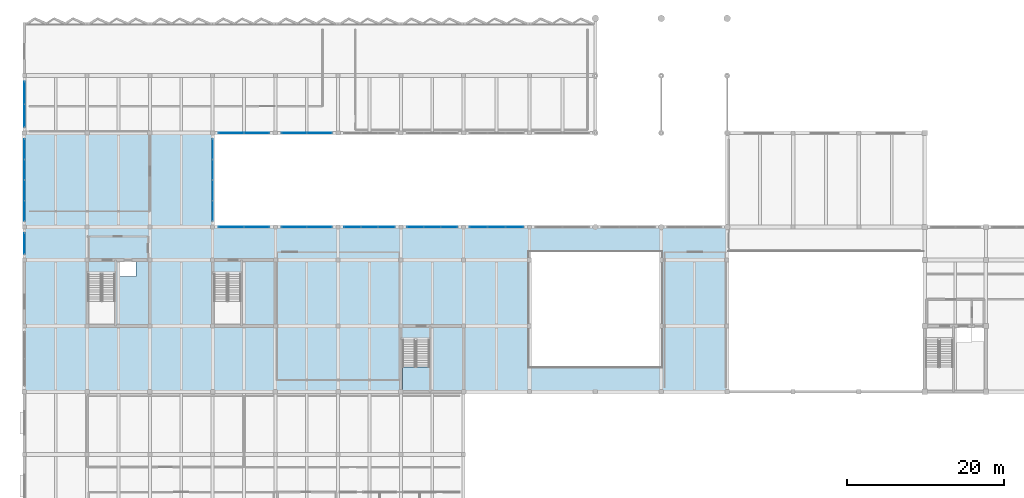
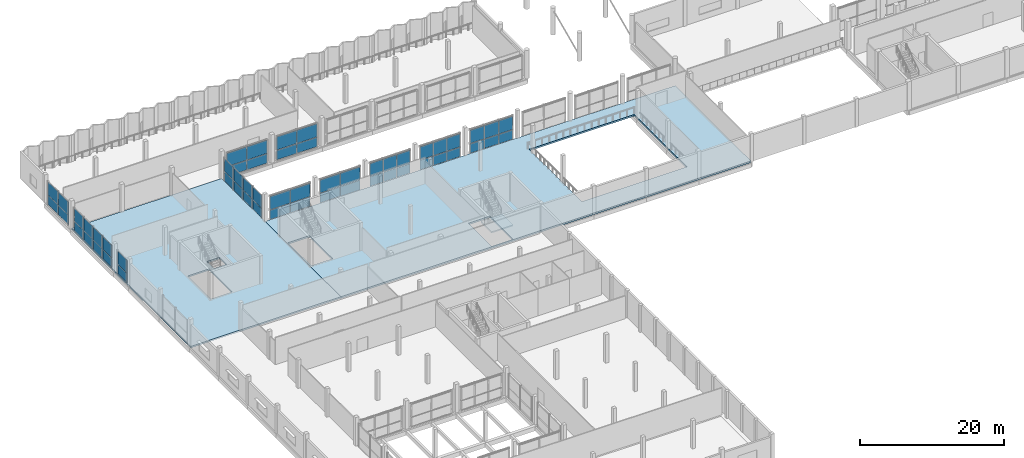
# One storey, part 27 of 47: 56 plates, 3 slabs, 12 elements without a shape of their own.
"""IFC4 building model written with IfcOpenShell, lengths in metres."""

from ifc_helpers import new_model, si_unit, direction, frame, origin, origin_2d, place, context, subcontext, project, spatial, polyline, rectangle, outline, extrude, material, layer, layer_set, type_object, element, aggregate, save


model = new_model("IFC4")

# Units and contexts
model_context = context("Model", 3, precision=1e-05, world=origin(), true_north=direction((0.0, 1.0)))
body_context = subcontext(model_context, "Body", "Model", "MODEL_VIEW")
ifc_project = project(units=[si_unit("LENGTHUNIT", "METRE"), si_unit("AREAUNIT", "SQUARE_METRE"), si_unit("VOLUMEUNIT", "CUBIC_METRE"), si_unit("PLANEANGLEUNIT", "RADIAN"), si_unit("MASSUNIT", "GRAM", prefix="KILO")], contexts=[model_context])

# Site, building, storey
site_placement = place(None, origin())
site = spatial("IfcSite", under=ifc_project, at=site_placement, CompositionType="ELEMENT")
building_placement = place(site_placement, origin())
building = spatial("IfcBuilding", under=site, at=building_placement, Name="Vharandega Faculty of Natural Sciences", CompositionType="ELEMENT")
storey_placement = place(building_placement, frame((0.0, 0.0, 5.39990234375)))
storey = spatial("IfcBuildingStorey", under=building, at=storey_placement, Name="L01", CompositionType="ELEMENT", Elevation=5.39990234375)

# Curtain wall, plates
ifc_material_1 = material(Name="Aluminium and solar-control glass curtain wall", Category="aluminium")
curtain_wall_type_1 = type_object("IfcCurtainWallType", Name="Unitised Curtain Wall System CW-15", PredefinedType="NOTDEFINED", material=ifc_material_1)
curtain_wall_1_placement = place(storey_placement, origin())
curtain_wall_1 = element("IfcCurtainWall", 1, at=curtain_wall_1_placement, inside=storey, type_object=curtain_wall_type_1, Name="Curtain Wall CW-L01-042", PredefinedType="NOTDEFINED")
ifc_material_2 = material(Name="Double-glazed low-E solar glass", Category="glass")
ifc_layer_1 = layer(ifc_material_2, 0.028076171875, Name="Double-glazed low-E solar glass")
ifc_layer_set_1 = layer_set([ifc_layer_1], Name="Double-glazed low-E solar glass")
plate_type = type_object("IfcPlateType", Name="CW Solar Vision Panel 28mm", PredefinedType="CURTAIN_PANEL", material=ifc_layer_set_1)
plate_1_placement = place(storey_placement, frame((0.0, 82.89990234375, 0.06005859375), z_axis=(0.0, 0.0, 1.0), x_axis=(0.0, 1.0, 0.0)))
plate_1 = element("IfcPlate", 2, at=plate_1_placement, type_object=plate_type, Name="CW-15 panel 1.1", PredefinedType="CURTAIN_PANEL", context=body_context, shape_type="SweptSolid", body=[
    extrude(rectangle(XDim=2.60009765625, YDim=0.028076171875, at=origin_2d()), origin(), (0.0, 0.0, 1.0), 1.564697265625),
])
plate_2_placement = place(storey_placement, frame((0.0, 82.89990234375, 1.684814453125), z_axis=(0.0, 0.0, 1.0), x_axis=(0.0, 1.0, 0.0)))
plate_2 = element("IfcPlate", 3, at=plate_2_placement, type_object=plate_type, Name="CW-15 panel 1.2", PredefinedType="CURTAIN_PANEL", context=body_context, shape_type="SweptSolid", body=[
    extrude(rectangle(XDim=2.60009765625, YDim=0.028076171875, at=origin_2d()), origin(), (0.0, 0.0, 1.0), 2.1953125),
])
aggregate(curtain_wall_1, [plate_1, plate_2])

ifc_material_3 = material(Name="Aluminium and solar-control glass curtain wall", Category="aluminium")
curtain_wall_type_2 = type_object("IfcCurtainWallType", Name="Unitised Curtain Wall System CW-16", PredefinedType="NOTDEFINED", material=ifc_material_3)
curtain_wall_2_placement = place(storey_placement, origin())
curtain_wall_2 = element("IfcCurtainWall", 4, at=curtain_wall_2_placement, inside=storey, type_object=curtain_wall_type_2, Name="Curtain Wall CW-L01-043", PredefinedType="NOTDEFINED")
plate_3_placement = place(storey_placement, frame((0.0, 87.070068359375, 0.06005859375), z_axis=(0.0, 0.0, 1.0), x_axis=(0.0, 1.0, 0.0)))
plate_3 = element("IfcPlate", 5, at=plate_3_placement, type_object=plate_type, Name="CW-16 panel 1.1", PredefinedType="CURTAIN_PANEL", context=body_context, shape_type="SweptSolid", body=[
    extrude(rectangle(XDim=2.5400390625, YDim=0.028076171875, at=origin_2d()), origin(), (0.0, 0.0, 1.0), 1.543701171875),
])
plate_4_placement = place(storey_placement, frame((0.0, 87.070068359375, 1.6640625), z_axis=(0.0, 0.0, 1.0), x_axis=(0.0, 1.0, 0.0)))
plate_4 = element("IfcPlate", 6, at=plate_4_placement, type_object=plate_type, Name="CW-16 panel 1.2", PredefinedType="CURTAIN_PANEL", context=body_context, shape_type="SweptSolid", body=[
    extrude(rectangle(XDim=2.5400390625, YDim=0.028076171875, at=origin_2d()), origin(), (0.0, 0.0, 1.0), 2.166259765625),
])
plate_5_placement = place(storey_placement, frame((0.0, 89.68505859375, 0.06005859375), z_axis=(0.0, 0.0, 1.0), x_axis=(0.0, 1.0, 0.0)))
plate_5 = element("IfcPlate", 7, at=plate_5_placement, type_object=plate_type, Name="CW-16 panel 2.1", PredefinedType="CURTAIN_PANEL", context=body_context, shape_type="SweptSolid", body=[
    extrude(rectangle(XDim=2.570068359375, YDim=0.028076171875, at=origin_2d()), origin(), (0.0, 0.0, 1.0), 1.543701171875),
])
plate_6_placement = place(storey_placement, frame((0.0, 89.68505859375, 1.6640625), z_axis=(0.0, 0.0, 1.0), x_axis=(0.0, 1.0, 0.0)))
plate_6 = element("IfcPlate", 8, at=plate_6_placement, type_object=plate_type, Name="CW-16 panel 2.2", PredefinedType="CURTAIN_PANEL", context=body_context, shape_type="SweptSolid", body=[
    extrude(rectangle(XDim=2.570068359375, YDim=0.028076171875, at=origin_2d()), origin(), (0.0, 0.0, 1.0), 2.166259765625),
])
plate_7_placement = place(storey_placement, frame((0.0, 92.31494140625, 0.06005859375), z_axis=(0.0, 0.0, 1.0), x_axis=(0.0, 1.0, 0.0)))
plate_7 = element("IfcPlate", 9, at=plate_7_placement, type_object=plate_type, Name="CW-16 panel 3.1", PredefinedType="CURTAIN_PANEL", context=body_context, shape_type="SweptSolid", body=[
    extrude(rectangle(XDim=2.570068359375, YDim=0.028076171875, at=origin_2d()), origin(), (0.0, 0.0, 1.0), 1.543701171875),
])
plate_8_placement = place(storey_placement, frame((0.0, 92.31494140625, 1.6640625), z_axis=(0.0, 0.0, 1.0), x_axis=(0.0, 1.0, 0.0)))
plate_8 = element("IfcPlate", 10, at=plate_8_placement, type_object=plate_type, Name="CW-16 panel 3.2", PredefinedType="CURTAIN_PANEL", context=body_context, shape_type="SweptSolid", body=[
    extrude(rectangle(XDim=2.570068359375, YDim=0.028076171875, at=origin_2d()), origin(), (0.0, 0.0, 1.0), 2.166259765625),
])
plate_9_placement = place(storey_placement, frame((0.0, 94.929931640625, 0.06005859375), z_axis=(0.0, 0.0, 1.0), x_axis=(0.0, 1.0, 0.0)))
plate_9 = element("IfcPlate", 11, at=plate_9_placement, type_object=plate_type, Name="CW-16 panel 4.1", PredefinedType="CURTAIN_PANEL", context=body_context, shape_type="SweptSolid", body=[
    extrude(rectangle(XDim=2.5400390625, YDim=0.028076171875, at=origin_2d()), origin(), (0.0, 0.0, 1.0), 1.543701171875),
])
plate_10_placement = place(storey_placement, frame((0.0, 94.929931640625, 1.6640625), z_axis=(0.0, 0.0, 1.0), x_axis=(0.0, 1.0, 0.0)))
plate_10 = element("IfcPlate", 12, at=plate_10_placement, type_object=plate_type, Name="CW-16 panel 4.2", PredefinedType="CURTAIN_PANEL", context=body_context, shape_type="SweptSolid", body=[
    extrude(rectangle(XDim=2.5400390625, YDim=0.028076171875, at=origin_2d()), origin(), (0.0, 0.0, 1.0), 2.166259765625),
])
aggregate(curtain_wall_2, [plate_3, plate_4, plate_5, plate_6, plate_7, plate_8, plate_9, plate_10])

ifc_material_4 = material(Name="Aluminium and solar-control glass curtain wall", Category="aluminium")
curtain_wall_type_3 = type_object("IfcCurtainWallType", Name="Unitised Curtain Wall System CW-17", PredefinedType="NOTDEFINED", material=ifc_material_4)
curtain_wall_3_placement = place(storey_placement, origin())
curtain_wall_3 = element("IfcCurtainWall", 13, at=curtain_wall_3_placement, inside=storey, type_object=curtain_wall_type_3, Name="Curtain Wall CW-L01-044", PredefinedType="NOTDEFINED")
plate_11_placement = place(storey_placement, frame((0.0, 99.2099609375, 0.06005859375), z_axis=(0.0, 0.0, 1.0), x_axis=(0.0, 1.0, 0.0)))
plate_11 = element("IfcPlate", 14, at=plate_11_placement, type_object=plate_type, Name="CW-17 panel 1.1", PredefinedType="CURTAIN_PANEL", context=body_context, shape_type="SweptSolid", body=[
    extrude(rectangle(XDim=2.820068359375, YDim=0.028076171875, at=origin_2d()), origin(), (0.0, 0.0, 1.0), 1.564697265625),
])
plate_12_placement = place(storey_placement, frame((0.0, 99.2099609375, 1.684814453125), z_axis=(0.0, 0.0, 1.0), x_axis=(0.0, 1.0, 0.0)))
plate_12 = element("IfcPlate", 15, at=plate_12_placement, type_object=plate_type, Name="CW-17 panel 1.2", PredefinedType="CURTAIN_PANEL", context=body_context, shape_type="SweptSolid", body=[
    extrude(rectangle(XDim=2.820068359375, YDim=0.028076171875, at=origin_2d()), origin(), (0.0, 0.0, 1.0), 2.1953125),
])
plate_13_placement = place(storey_placement, frame((0.0, 102.090087890625, 0.06005859375), z_axis=(0.0, 0.0, 1.0), x_axis=(0.0, 1.0, 0.0)))
plate_13 = element("IfcPlate", 16, at=plate_13_placement, type_object=plate_type, Name="CW-17 panel 2.1", PredefinedType="CURTAIN_PANEL", context=body_context, shape_type="SweptSolid", body=[
    extrude(rectangle(XDim=2.820068359375, YDim=0.028076171875, at=origin_2d()), origin(), (0.0, 0.0, 1.0), 1.564697265625),
])
plate_14_placement = place(storey_placement, frame((0.0, 102.090087890625, 1.684814453125), z_axis=(0.0, 0.0, 1.0), x_axis=(0.0, 1.0, 0.0)))
plate_14 = element("IfcPlate", 17, at=plate_14_placement, type_object=plate_type, Name="CW-17 panel 2.2", PredefinedType="CURTAIN_PANEL", context=body_context, shape_type="SweptSolid", body=[
    extrude(rectangle(XDim=2.820068359375, YDim=0.028076171875, at=origin_2d()), origin(), (0.0, 0.0, 1.0), 2.1953125),
])
aggregate(curtain_wall_3, [plate_11, plate_12, plate_13, plate_14])

ifc_material_5 = material(Name="Aluminium and solar-control glass curtain wall", Category="aluminium")
curtain_wall_type_4 = type_object("IfcCurtainWallType", Name="Unitised Curtain Wall System CW-18", PredefinedType="NOTDEFINED", material=ifc_material_5)
curtain_wall_4_placement = place(storey_placement, origin())
curtain_wall_4 = element("IfcCurtainWall", 18, at=curtain_wall_4_placement, inside=storey, type_object=curtain_wall_type_4, Name="Curtain Wall CW-L01-045", PredefinedType="NOTDEFINED")
plate_15_placement = place(storey_placement, frame((26.385009765625, 97.0, 0.06005859375), z_axis=(0.0, 0.0, 1.0), x_axis=(1.0, 0.0, 0.0)))
plate_15 = element("IfcPlate", 19, at=plate_15_placement, type_object=plate_type, Name="CW-18 panel 1.1", PredefinedType="CURTAIN_PANEL", context=body_context, shape_type="SweptSolid", body=[
    extrude(rectangle(XDim=3.169921875, YDim=0.028076171875, at=origin_2d()), origin(), (0.0, 0.0, 1.0), 1.606689453125),
])
plate_16_placement = place(storey_placement, frame((26.385009765625, 97.0, 1.72705078125), z_axis=(0.0, 0.0, 1.0), x_axis=(1.0, 0.0, 0.0)))
plate_16 = element("IfcPlate", 20, at=plate_16_placement, type_object=plate_type, Name="CW-18 panel 1.2", PredefinedType="CURTAIN_PANEL", context=body_context, shape_type="SweptSolid", body=[
    extrude(rectangle(XDim=3.169921875, YDim=0.028076171875, at=origin_2d()), origin(), (0.0, 0.0, 1.0), 2.253173828125),
])
plate_17_placement = place(storey_placement, frame((29.614990234375, 97.0, 0.06005859375), z_axis=(0.0, 0.0, 1.0), x_axis=(1.0, 0.0, 0.0)))
plate_17 = element("IfcPlate", 21, at=plate_17_placement, type_object=plate_type, Name="CW-18 panel 2.1", PredefinedType="CURTAIN_PANEL", context=body_context, shape_type="SweptSolid", body=[
    extrude(rectangle(XDim=3.169921875, YDim=0.028076171875, at=origin_2d()), origin(), (0.0, 0.0, 1.0), 1.606689453125),
])
plate_18_placement = place(storey_placement, frame((29.614990234375, 97.0, 1.72705078125), z_axis=(0.0, 0.0, 1.0), x_axis=(1.0, 0.0, 0.0)))
plate_18 = element("IfcPlate", 22, at=plate_18_placement, type_object=plate_type, Name="CW-18 panel 2.2", PredefinedType="CURTAIN_PANEL", context=body_context, shape_type="SweptSolid", body=[
    extrude(rectangle(XDim=3.169921875, YDim=0.028076171875, at=origin_2d()), origin(), (0.0, 0.0, 1.0), 2.253173828125),
])
aggregate(curtain_wall_4, [plate_15, plate_16, plate_17, plate_18])

ifc_material_6 = material(Name="Aluminium and solar-control glass curtain wall", Category="aluminium")
curtain_wall_type_5 = type_object("IfcCurtainWallType", Name="Unitised Curtain Wall System CW-19", PredefinedType="NOTDEFINED", material=ifc_material_6)
curtain_wall_5_placement = place(storey_placement, origin())
curtain_wall_5 = element("IfcCurtainWall", 23, at=curtain_wall_5_placement, inside=storey, type_object=curtain_wall_type_5, Name="Curtain Wall CW-L01-046", PredefinedType="NOTDEFINED")
plate_19_placement = place(storey_placement, frame((34.385009765625, 97.0, 0.06005859375), z_axis=(0.0, 0.0, 1.0), x_axis=(1.0, 0.0, 0.0)))
plate_19 = element("IfcPlate", 24, at=plate_19_placement, type_object=plate_type, Name="CW-19 panel 1.1", PredefinedType="CURTAIN_PANEL", context=body_context, shape_type="SweptSolid", body=[
    extrude(rectangle(XDim=3.169921875, YDim=0.028076171875, at=origin_2d()), origin(), (0.0, 0.0, 1.0), 1.606689453125),
])
plate_20_placement = place(storey_placement, frame((34.385009765625, 97.0, 1.72705078125), z_axis=(0.0, 0.0, 1.0), x_axis=(1.0, 0.0, 0.0)))
plate_20 = element("IfcPlate", 25, at=plate_20_placement, type_object=plate_type, Name="CW-19 panel 1.2", PredefinedType="CURTAIN_PANEL", context=body_context, shape_type="SweptSolid", body=[
    extrude(rectangle(XDim=3.169921875, YDim=0.028076171875, at=origin_2d()), origin(), (0.0, 0.0, 1.0), 2.253173828125),
])
plate_21_placement = place(storey_placement, frame((37.614990234375, 97.0, 0.06005859375), z_axis=(0.0, 0.0, 1.0), x_axis=(1.0, 0.0, 0.0)))
plate_21 = element("IfcPlate", 26, at=plate_21_placement, type_object=plate_type, Name="CW-19 panel 2.1", PredefinedType="CURTAIN_PANEL", context=body_context, shape_type="SweptSolid", body=[
    extrude(rectangle(XDim=3.169921875, YDim=0.028076171875, at=origin_2d()), origin(), (0.0, 0.0, 1.0), 1.606689453125),
])
plate_22_placement = place(storey_placement, frame((37.614990234375, 97.0, 1.72705078125), z_axis=(0.0, 0.0, 1.0), x_axis=(1.0, 0.0, 0.0)))
plate_22 = element("IfcPlate", 27, at=plate_22_placement, type_object=plate_type, Name="CW-19 panel 2.2", PredefinedType="CURTAIN_PANEL", context=body_context, shape_type="SweptSolid", body=[
    extrude(rectangle(XDim=3.169921875, YDim=0.028076171875, at=origin_2d()), origin(), (0.0, 0.0, 1.0), 2.253173828125),
])
aggregate(curtain_wall_5, [plate_19, plate_20, plate_21, plate_22])

ifc_material_7 = material(Name="Aluminium and solar-control glass curtain wall", Category="aluminium")
curtain_wall_type_6 = type_object("IfcCurtainWallType", Name="Unitised Curtain Wall System CW-24", PredefinedType="NOTDEFINED", material=ifc_material_7)
curtain_wall_6_placement = place(storey_placement, origin())
curtain_wall_6 = element("IfcCurtainWall", 28, at=curtain_wall_6_placement, inside=storey, type_object=curtain_wall_type_6, Name="Curtain Wall CW-L01-051", PredefinedType="NOTDEFINED")
plate_23_placement = place(storey_placement, frame((24.0, 87.070068359375, 0.06005859375), z_axis=(0.0, 0.0, 1.0), x_axis=(0.0, 1.0, 0.0)))
plate_23 = element("IfcPlate", 29, at=plate_23_placement, type_object=plate_type, Name="CW-24 panel 1.1", PredefinedType="CURTAIN_PANEL", context=body_context, shape_type="SweptSolid", body=[
    extrude(rectangle(XDim=2.5400390625, YDim=0.028076171875, at=origin_2d()), origin(), (0.0, 0.0, 1.0), 1.543701171875),
])
plate_24_placement = place(storey_placement, frame((24.0, 87.070068359375, 1.6640625), z_axis=(0.0, 0.0, 1.0), x_axis=(0.0, 1.0, 0.0)))
plate_24 = element("IfcPlate", 30, at=plate_24_placement, type_object=plate_type, Name="CW-24 panel 1.2", PredefinedType="CURTAIN_PANEL", context=body_context, shape_type="SweptSolid", body=[
    extrude(rectangle(XDim=2.5400390625, YDim=0.028076171875, at=origin_2d()), origin(), (0.0, 0.0, 1.0), 2.166259765625),
])
plate_25_placement = place(storey_placement, frame((24.0, 89.68505859375, 0.06005859375), z_axis=(0.0, 0.0, 1.0), x_axis=(0.0, 1.0, 0.0)))
plate_25 = element("IfcPlate", 31, at=plate_25_placement, type_object=plate_type, Name="CW-24 panel 2.1", PredefinedType="CURTAIN_PANEL", context=body_context, shape_type="SweptSolid", body=[
    extrude(rectangle(XDim=2.570068359375, YDim=0.028076171875, at=origin_2d()), origin(), (0.0, 0.0, 1.0), 1.543701171875),
])
plate_26_placement = place(storey_placement, frame((24.0, 89.68505859375, 1.6640625), z_axis=(0.0, 0.0, 1.0), x_axis=(0.0, 1.0, 0.0)))
plate_26 = element("IfcPlate", 32, at=plate_26_placement, type_object=plate_type, Name="CW-24 panel 2.2", PredefinedType="CURTAIN_PANEL", context=body_context, shape_type="SweptSolid", body=[
    extrude(rectangle(XDim=2.570068359375, YDim=0.028076171875, at=origin_2d()), origin(), (0.0, 0.0, 1.0), 2.166259765625),
])
plate_27_placement = place(storey_placement, frame((24.0, 92.31494140625, 0.06005859375), z_axis=(0.0, 0.0, 1.0), x_axis=(0.0, 1.0, 0.0)))
plate_27 = element("IfcPlate", 33, at=plate_27_placement, type_object=plate_type, Name="CW-24 panel 3.1", PredefinedType="CURTAIN_PANEL", context=body_context, shape_type="SweptSolid", body=[
    extrude(rectangle(XDim=2.570068359375, YDim=0.028076171875, at=origin_2d()), origin(), (0.0, 0.0, 1.0), 1.543701171875),
])
plate_28_placement = place(storey_placement, frame((24.0, 92.31494140625, 1.6640625), z_axis=(0.0, 0.0, 1.0), x_axis=(0.0, 1.0, 0.0)))
plate_28 = element("IfcPlate", 34, at=plate_28_placement, type_object=plate_type, Name="CW-24 panel 3.2", PredefinedType="CURTAIN_PANEL", context=body_context, shape_type="SweptSolid", body=[
    extrude(rectangle(XDim=2.570068359375, YDim=0.028076171875, at=origin_2d()), origin(), (0.0, 0.0, 1.0), 2.166259765625),
])
plate_29_placement = place(storey_placement, frame((24.0, 94.929931640625, 0.06005859375), z_axis=(0.0, 0.0, 1.0), x_axis=(0.0, 1.0, 0.0)))
plate_29 = element("IfcPlate", 35, at=plate_29_placement, type_object=plate_type, Name="CW-24 panel 4.1", PredefinedType="CURTAIN_PANEL", context=body_context, shape_type="SweptSolid", body=[
    extrude(rectangle(XDim=2.5400390625, YDim=0.028076171875, at=origin_2d()), origin(), (0.0, 0.0, 1.0), 1.543701171875),
])
plate_30_placement = place(storey_placement, frame((24.0, 94.929931640625, 1.6640625), z_axis=(0.0, 0.0, 1.0), x_axis=(0.0, 1.0, 0.0)))
plate_30 = element("IfcPlate", 36, at=plate_30_placement, type_object=plate_type, Name="CW-24 panel 4.2", PredefinedType="CURTAIN_PANEL", context=body_context, shape_type="SweptSolid", body=[
    extrude(rectangle(XDim=2.5400390625, YDim=0.028076171875, at=origin_2d()), origin(), (0.0, 0.0, 1.0), 2.166259765625),
])
aggregate(curtain_wall_6, [plate_23, plate_24, plate_25, plate_26, plate_27, plate_28, plate_29, plate_30])

ifc_material_8 = material(Name="Aluminium and solar-control glass curtain wall", Category="aluminium")
curtain_wall_type_7 = type_object("IfcCurtainWallType", Name="Unitised Curtain Wall System CW-23", PredefinedType="NOTDEFINED", material=ifc_material_8)
curtain_wall_7_placement = place(storey_placement, origin())
curtain_wall_7 = element("IfcCurtainWall", 37, at=curtain_wall_7_placement, inside=storey, type_object=curtain_wall_type_7, Name="Curtain Wall CW-L01-078", PredefinedType="NOTDEFINED")
plate_31_placement = place(storey_placement, frame((26.385009765625, 85.0, 0.06005859375), z_axis=(0.0, 0.0, 1.0), x_axis=(1.0, 0.0, 0.0)))
plate_31 = element("IfcPlate", 38, at=plate_31_placement, type_object=plate_type, Name="CW-23 panel 1.1", PredefinedType="CURTAIN_PANEL", context=body_context, shape_type="SweptSolid", body=[
    extrude(rectangle(XDim=3.169921875, YDim=0.028076171875, at=origin_2d()), origin(), (0.0, 0.0, 1.0), 1.598388671875),
])
plate_32_placement = place(storey_placement, frame((26.385009765625, 85.0, 1.718505859375), z_axis=(0.0, 0.0, 1.0), x_axis=(1.0, 0.0, 0.0)))
plate_32 = element("IfcPlate", 39, at=plate_32_placement, type_object=plate_type, Name="CW-23 panel 1.2", PredefinedType="CURTAIN_PANEL", context=body_context, shape_type="SweptSolid", body=[
    extrude(rectangle(XDim=3.169921875, YDim=0.028076171875, at=origin_2d()), origin(), (0.0, 0.0, 1.0), 2.24169921875),
])
plate_33_placement = place(storey_placement, frame((29.614990234375, 85.0, 0.06005859375), z_axis=(0.0, 0.0, 1.0), x_axis=(1.0, 0.0, 0.0)))
plate_33 = element("IfcPlate", 40, at=plate_33_placement, type_object=plate_type, Name="CW-23 panel 2.1", PredefinedType="CURTAIN_PANEL", context=body_context, shape_type="SweptSolid", body=[
    extrude(rectangle(XDim=3.169921875, YDim=0.028076171875, at=origin_2d()), origin(), (0.0, 0.0, 1.0), 1.598388671875),
])
plate_34_placement = place(storey_placement, frame((29.614990234375, 85.0, 1.718505859375), z_axis=(0.0, 0.0, 1.0), x_axis=(1.0, 0.0, 0.0)))
plate_34 = element("IfcPlate", 41, at=plate_34_placement, type_object=plate_type, Name="CW-23 panel 2.2", PredefinedType="CURTAIN_PANEL", context=body_context, shape_type="SweptSolid", body=[
    extrude(rectangle(XDim=3.169921875, YDim=0.028076171875, at=origin_2d()), origin(), (0.0, 0.0, 1.0), 2.24169921875),
])
aggregate(curtain_wall_7, [plate_31, plate_32, plate_33, plate_34])

curtain_wall_8_placement = place(storey_placement, origin())
curtain_wall_8 = element("IfcCurtainWall", 42, at=curtain_wall_8_placement, inside=storey, type_object=curtain_wall_type_6, Name="Curtain Wall CW-L01-079", PredefinedType="NOTDEFINED")
plate_35_placement = place(storey_placement, frame((34.385009765625, 85.0, 0.06005859375), z_axis=(0.0, 0.0, 1.0), x_axis=(1.0, 0.0, 0.0)))
plate_35 = element("IfcPlate", 43, at=plate_35_placement, type_object=plate_type, Name="CW-24 panel 1.1", PredefinedType="CURTAIN_PANEL", context=body_context, shape_type="SweptSolid", body=[
    extrude(rectangle(XDim=3.169921875, YDim=0.028076171875, at=origin_2d()), origin(), (0.0, 0.0, 1.0), 1.598388671875),
])
plate_36_placement = place(storey_placement, frame((34.385009765625, 85.0, 1.718505859375), z_axis=(0.0, 0.0, 1.0), x_axis=(1.0, 0.0, 0.0)))
plate_36 = element("IfcPlate", 44, at=plate_36_placement, type_object=plate_type, Name="CW-24 panel 1.2", PredefinedType="CURTAIN_PANEL", context=body_context, shape_type="SweptSolid", body=[
    extrude(rectangle(XDim=3.169921875, YDim=0.028076171875, at=origin_2d()), origin(), (0.0, 0.0, 1.0), 2.24169921875),
])
plate_37_placement = place(storey_placement, frame((37.614990234375, 85.0, 0.06005859375), z_axis=(0.0, 0.0, 1.0), x_axis=(1.0, 0.0, 0.0)))
plate_37 = element("IfcPlate", 45, at=plate_37_placement, type_object=plate_type, Name="CW-24 panel 2.1", PredefinedType="CURTAIN_PANEL", context=body_context, shape_type="SweptSolid", body=[
    extrude(rectangle(XDim=3.169921875, YDim=0.028076171875, at=origin_2d()), origin(), (0.0, 0.0, 1.0), 1.598388671875),
])
plate_38_placement = place(storey_placement, frame((37.614990234375, 85.0, 1.718505859375), z_axis=(0.0, 0.0, 1.0), x_axis=(1.0, 0.0, 0.0)))
plate_38 = element("IfcPlate", 46, at=plate_38_placement, type_object=plate_type, Name="CW-24 panel 2.2", PredefinedType="CURTAIN_PANEL", context=body_context, shape_type="SweptSolid", body=[
    extrude(rectangle(XDim=3.169921875, YDim=0.028076171875, at=origin_2d()), origin(), (0.0, 0.0, 1.0), 2.24169921875),
])
aggregate(curtain_wall_8, [plate_35, plate_36, plate_37, plate_38])

ifc_material_9 = material(Name="Aluminium and solar-control glass curtain wall", Category="aluminium")
curtain_wall_type_8 = type_object("IfcCurtainWallType", Name="Unitised Curtain Wall System CW-25", PredefinedType="NOTDEFINED", material=ifc_material_9)
curtain_wall_9_placement = place(storey_placement, origin())
curtain_wall_9 = element("IfcCurtainWall", 47, at=curtain_wall_9_placement, inside=storey, type_object=curtain_wall_type_8, Name="Curtain Wall CW-L01-080", PredefinedType="NOTDEFINED")
plate_39_placement = place(storey_placement, frame((41.841552734375, 85.0, 0.06005859375), z_axis=(0.0, 0.0, 1.0), x_axis=(1.0, 0.0, 0.0)))
plate_39 = element("IfcPlate", 48, at=plate_39_placement, type_object=plate_type, Name="CW-25 panel 1.1", PredefinedType="CURTAIN_PANEL", context=body_context, shape_type="SweptSolid", body=[
    extrude(rectangle(XDim=2.083251953125, YDim=0.028076171875, at=origin_2d()), origin(), (0.0, 0.0, 1.0), 1.598388671875),
])
plate_40_placement = place(storey_placement, frame((41.841552734375, 85.0, 1.718505859375), z_axis=(0.0, 0.0, 1.0), x_axis=(1.0, 0.0, 0.0)))
plate_40 = element("IfcPlate", 49, at=plate_40_placement, type_object=plate_type, Name="CW-25 panel 1.2", PredefinedType="CURTAIN_PANEL", context=body_context, shape_type="SweptSolid", body=[
    extrude(rectangle(XDim=2.083251953125, YDim=0.028076171875, at=origin_2d()), origin(), (0.0, 0.0, 1.0), 2.24169921875),
])
plate_41_placement = place(storey_placement, frame((44.0, 85.0, 0.06005859375), z_axis=(0.0, 0.0, 1.0), x_axis=(1.0, 0.0, 0.0)))
plate_41 = element("IfcPlate", 50, at=plate_41_placement, type_object=plate_type, Name="CW-25 panel 2.1", PredefinedType="CURTAIN_PANEL", context=body_context, shape_type="SweptSolid", body=[
    extrude(rectangle(XDim=2.11328125, YDim=0.028076171875, at=origin_2d()), origin(), (0.0, 0.0, 1.0), 1.598388671875),
])
plate_42_placement = place(storey_placement, frame((44.0, 85.0, 1.718505859375), z_axis=(0.0, 0.0, 1.0), x_axis=(1.0, 0.0, 0.0)))
plate_42 = element("IfcPlate", 51, at=plate_42_placement, type_object=plate_type, Name="CW-25 panel 2.2", PredefinedType="CURTAIN_PANEL", context=body_context, shape_type="SweptSolid", body=[
    extrude(rectangle(XDim=2.11328125, YDim=0.028076171875, at=origin_2d()), origin(), (0.0, 0.0, 1.0), 2.24169921875),
])
plate_43_placement = place(storey_placement, frame((46.158447265625, 85.0, 0.06005859375), z_axis=(0.0, 0.0, 1.0), x_axis=(1.0, 0.0, 0.0)))
plate_43 = element("IfcPlate", 52, at=plate_43_placement, type_object=plate_type, Name="CW-25 panel 3.1", PredefinedType="CURTAIN_PANEL", context=body_context, shape_type="SweptSolid", body=[
    extrude(rectangle(XDim=2.083251953125, YDim=0.028076171875, at=origin_2d()), origin(), (0.0, 0.0, 1.0), 1.598388671875),
])
plate_44_placement = place(storey_placement, frame((46.158447265625, 85.0, 1.718505859375), z_axis=(0.0, 0.0, 1.0), x_axis=(1.0, 0.0, 0.0)))
plate_44 = element("IfcPlate", 53, at=plate_44_placement, type_object=plate_type, Name="CW-25 panel 3.2", PredefinedType="CURTAIN_PANEL", context=body_context, shape_type="SweptSolid", body=[
    extrude(rectangle(XDim=2.083251953125, YDim=0.028076171875, at=origin_2d()), origin(), (0.0, 0.0, 1.0), 2.24169921875),
])
aggregate(curtain_wall_9, [plate_39, plate_40, plate_41, plate_42, plate_43, plate_44])

ifc_material_10 = material(Name="Aluminium and solar-control glass curtain wall", Category="aluminium")
curtain_wall_type_9 = type_object("IfcCurtainWallType", Name="Unitised Curtain Wall System CW-26", PredefinedType="NOTDEFINED", material=ifc_material_10)
curtain_wall_10_placement = place(storey_placement, origin())
curtain_wall_10 = element("IfcCurtainWall", 54, at=curtain_wall_10_placement, inside=storey, type_object=curtain_wall_type_9, Name="Curtain Wall CW-L01-081", PredefinedType="NOTDEFINED")
plate_45_placement = place(storey_placement, frame((49.841552734375, 85.0, 0.06005859375), z_axis=(0.0, 0.0, 1.0), x_axis=(1.0, 0.0, 0.0)))
plate_45 = element("IfcPlate", 55, at=plate_45_placement, type_object=plate_type, Name="CW-26 panel 1.1", PredefinedType="CURTAIN_PANEL", context=body_context, shape_type="SweptSolid", body=[
    extrude(rectangle(XDim=2.083251953125, YDim=0.028076171875, at=origin_2d()), origin(), (0.0, 0.0, 1.0), 1.598388671875),
])
plate_46_placement = place(storey_placement, frame((49.841552734375, 85.0, 1.718505859375), z_axis=(0.0, 0.0, 1.0), x_axis=(1.0, 0.0, 0.0)))
plate_46 = element("IfcPlate", 56, at=plate_46_placement, type_object=plate_type, Name="CW-26 panel 1.2", PredefinedType="CURTAIN_PANEL", context=body_context, shape_type="SweptSolid", body=[
    extrude(rectangle(XDim=2.083251953125, YDim=0.028076171875, at=origin_2d()), origin(), (0.0, 0.0, 1.0), 2.24169921875),
])
plate_47_placement = place(storey_placement, frame((52.0, 85.0, 0.06005859375), z_axis=(0.0, 0.0, 1.0), x_axis=(1.0, 0.0, 0.0)))
plate_47 = element("IfcPlate", 57, at=plate_47_placement, type_object=plate_type, Name="CW-26 panel 2.1", PredefinedType="CURTAIN_PANEL", context=body_context, shape_type="SweptSolid", body=[
    extrude(rectangle(XDim=2.11328125, YDim=0.028076171875, at=origin_2d()), origin(), (0.0, 0.0, 1.0), 1.598388671875),
])
plate_48_placement = place(storey_placement, frame((52.0, 85.0, 1.718505859375), z_axis=(0.0, 0.0, 1.0), x_axis=(1.0, 0.0, 0.0)))
plate_48 = element("IfcPlate", 58, at=plate_48_placement, type_object=plate_type, Name="CW-26 panel 2.2", PredefinedType="CURTAIN_PANEL", context=body_context, shape_type="SweptSolid", body=[
    extrude(rectangle(XDim=2.11328125, YDim=0.028076171875, at=origin_2d()), origin(), (0.0, 0.0, 1.0), 2.24169921875),
])
plate_49_placement = place(storey_placement, frame((54.158447265625, 85.0, 0.06005859375), z_axis=(0.0, 0.0, 1.0), x_axis=(1.0, 0.0, 0.0)))
plate_49 = element("IfcPlate", 59, at=plate_49_placement, type_object=plate_type, Name="CW-26 panel 3.1", PredefinedType="CURTAIN_PANEL", context=body_context, shape_type="SweptSolid", body=[
    extrude(rectangle(XDim=2.083251953125, YDim=0.028076171875, at=origin_2d()), origin(), (0.0, 0.0, 1.0), 1.598388671875),
])
plate_50_placement = place(storey_placement, frame((54.158447265625, 85.0, 1.718505859375), z_axis=(0.0, 0.0, 1.0), x_axis=(1.0, 0.0, 0.0)))
plate_50 = element("IfcPlate", 60, at=plate_50_placement, type_object=plate_type, Name="CW-26 panel 3.2", PredefinedType="CURTAIN_PANEL", context=body_context, shape_type="SweptSolid", body=[
    extrude(rectangle(XDim=2.083251953125, YDim=0.028076171875, at=origin_2d()), origin(), (0.0, 0.0, 1.0), 2.24169921875),
])
aggregate(curtain_wall_10, [plate_45, plate_46, plate_47, plate_48, plate_49, plate_50])

ifc_material_11 = material(Name="Aluminium and solar-control glass curtain wall", Category="aluminium")
curtain_wall_type_10 = type_object("IfcCurtainWallType", Name="Unitised Curtain Wall System CW-27", PredefinedType="NOTDEFINED", material=ifc_material_11)
curtain_wall_11_placement = place(storey_placement, origin())
curtain_wall_11 = element("IfcCurtainWall", 61, at=curtain_wall_11_placement, inside=storey, type_object=curtain_wall_type_10, Name="Curtain Wall CW-L01-082", PredefinedType="NOTDEFINED")
plate_51_placement = place(storey_placement, frame((57.908447265625, 85.0, 0.06005859375), z_axis=(0.0, 0.0, 1.0), x_axis=(1.0, 0.0, 0.0)))
plate_51 = element("IfcPlate", 62, at=plate_51_placement, type_object=plate_type, Name="CW-27 panel 1.1", PredefinedType="CURTAIN_PANEL", context=body_context, shape_type="SweptSolid", body=[
    extrude(rectangle(XDim=2.216552734375, YDim=0.028076171875, at=origin_2d()), origin(), (0.0, 0.0, 1.0), 1.598388671875),
])
plate_52_placement = place(storey_placement, frame((57.908447265625, 85.0, 1.718505859375), z_axis=(0.0, 0.0, 1.0), x_axis=(1.0, 0.0, 0.0)))
plate_52 = element("IfcPlate", 63, at=plate_52_placement, type_object=plate_type, Name="CW-27 panel 1.2", PredefinedType="CURTAIN_PANEL", context=body_context, shape_type="SweptSolid", body=[
    extrude(rectangle(XDim=2.216552734375, YDim=0.028076171875, at=origin_2d()), origin(), (0.0, 0.0, 1.0), 2.24169921875),
])
plate_53_placement = place(storey_placement, frame((60.199951171875, 85.0, 0.06005859375), z_axis=(0.0, 0.0, 1.0), x_axis=(1.0, 0.0, 0.0)))
plate_53 = element("IfcPlate", 64, at=plate_53_placement, type_object=plate_type, Name="CW-27 panel 2.1", PredefinedType="CURTAIN_PANEL", context=body_context, shape_type="SweptSolid", body=[
    extrude(rectangle(XDim=2.24658203125, YDim=0.028076171875, at=origin_2d()), origin(), (0.0, 0.0, 1.0), 1.598388671875),
])
plate_54_placement = place(storey_placement, frame((60.199951171875, 85.0, 1.718505859375), z_axis=(0.0, 0.0, 1.0), x_axis=(1.0, 0.0, 0.0)))
plate_54 = element("IfcPlate", 65, at=plate_54_placement, type_object=plate_type, Name="CW-27 panel 2.2", PredefinedType="CURTAIN_PANEL", context=body_context, shape_type="SweptSolid", body=[
    extrude(rectangle(XDim=2.24658203125, YDim=0.028076171875, at=origin_2d()), origin(), (0.0, 0.0, 1.0), 2.24169921875),
])
plate_55_placement = place(storey_placement, frame((62.49169921875, 85.0, 0.06005859375), z_axis=(0.0, 0.0, 1.0), x_axis=(1.0, 0.0, 0.0)))
plate_55 = element("IfcPlate", 66, at=plate_55_placement, type_object=plate_type, Name="CW-27 panel 3.1", PredefinedType="CURTAIN_PANEL", context=body_context, shape_type="SweptSolid", body=[
    extrude(rectangle(XDim=2.216552734375, YDim=0.028076171875, at=origin_2d()), origin(), (0.0, 0.0, 1.0), 1.598388671875),
])
plate_56_placement = place(storey_placement, frame((62.49169921875, 85.0, 1.718505859375), z_axis=(0.0, 0.0, 1.0), x_axis=(1.0, 0.0, 0.0)))
plate_56 = element("IfcPlate", 67, at=plate_56_placement, type_object=plate_type, Name="CW-27 panel 3.2", PredefinedType="CURTAIN_PANEL", context=body_context, shape_type="SweptSolid", body=[
    extrude(rectangle(XDim=2.216552734375, YDim=0.028076171875, at=origin_2d()), origin(), (0.0, 0.0, 1.0), 2.24169921875),
])
aggregate(curtain_wall_11, [plate_51, plate_52, plate_53, plate_54, plate_55, plate_56])

# Slabs
ifc_material_12 = material(Name="Concrete C40/50", Category="concrete")
ifc_layer_2 = layer(ifc_material_12, 0.260009765625, Name="Concrete C40/50")
ifc_layer_set_2 = layer_set([ifc_layer_2], Name="Concrete C40/50")
slab_type_1 = type_object("IfcSlabType", Name="SLAB-RC-260", PredefinedType="FLOOR", material=ifc_layer_set_2)
slab_1_placement = place(storey_placement, frame((0.0, 0.0, -0.260009765625)))
element("IfcSlab", 68, at=slab_1_placement, inside=storey, type_object=slab_type_1, Name="L01 V2 Floor Slab", PredefinedType="FLOOR", context=body_context, shape_type="SweptSolid", body=[
    extrude(outline(polyline([(0.0, 64.0), (24.0, 64.0), (24.0, 97.0), (0.0, 97.0), (0.0, 64.0)]), holes=[polyline([(8.139892578125, 78.945068359375), (8.139892578125, 72.5400390625), (11.56005859375, 72.5400390625), (11.56005859375, 78.945068359375), (8.139892578125, 78.945068359375)]), polyline([(12.199951171875, 78.699951171875), (14.199951171875, 78.699951171875), (14.199951171875, 80.6201171875), (12.199951171875, 80.6201171875), (12.199951171875, 78.699951171875)])]), origin(), (0.0, 0.0, 1.0), 0.260009765625),
])
ifc_material_13 = material(Name="Concrete C40/50", Category="concrete")
ifc_layer_3 = layer(ifc_material_13, 0.280029296875, Name="Concrete C40/50")
ifc_layer_set_3 = layer_set([ifc_layer_3], Name="Concrete C40/50")
slab_type_2 = type_object("IfcSlabType", Name="SLAB-RC-280", PredefinedType="FLOOR", material=ifc_layer_set_3)
slab_2_placement = place(storey_placement, frame((0.0, 0.0, -0.27978515625)))
element("IfcSlab", 69, at=slab_2_placement, inside=storey, type_object=slab_type_2, Name="L01 V3 Floor Slab", PredefinedType="FLOOR", context=body_context, shape_type="SweptSolid", body=[
    extrude(outline(polyline([(24.0, 64.0), (89.60009765625, 64.0), (89.60009765625, 85.0), (24.0, 85.0), (24.0, 64.0)]), holes=[polyline([(64.39990234375, 67.199951171875), (81.199951171875, 67.199951171875), (81.199951171875, 81.800048828125), (64.39990234375, 81.800048828125), (64.39990234375, 67.199951171875)]), polyline([(48.199951171875, 70.544921875), (48.199951171875, 64.139892578125), (51.6201171875, 64.139892578125), (51.6201171875, 70.544921875), (48.199951171875, 70.544921875)]), polyline([(24.199951171875, 78.945068359375), (24.199951171875, 72.5400390625), (27.6201171875, 72.5400390625), (27.6201171875, 78.945068359375), (24.199951171875, 78.945068359375)])]), origin(), (0.0, 0.0, 1.0), 0.27978515625),
])

# Stair, slab
ifc_material_14 = material(Name="Concrete C40/50", Category="concrete")
stair_type = type_object("IfcStairType", Name="Escape Dog-Leg Stair W165 H480", PredefinedType="HALF_TURN_STAIR", material=ifc_material_14)
stair_placement = place(storey_placement, origin())
stair = element("IfcStair", 70, at=stair_placement, inside=storey, type_object=stair_type, Name="L01 Escape Stair ST5", PredefinedType="HALF_TURN_STAIR")
ifc_material_15 = material(Name="Concrete C40/50", Category="concrete")
ifc_layer_4 = layer(ifc_material_15, 0.199951171875, Name="Concrete C40/50")
ifc_layer_set_4 = layer_set([ifc_layer_4], Name="Concrete C40/50")
slab_type_3 = type_object("IfcSlabType", Name="Stair Half-Landing Slab 200", PredefinedType="LANDING", material=ifc_layer_set_4)
slab_3_placement = place(storey_placement, frame((0.0, 0.0, 2.2001953125)))
slab_3 = element("IfcSlab", 71, at=slab_3_placement, type_object=slab_type_3, Name="ST5 landing 1", PredefinedType="LANDING", context=body_context, shape_type="SweptSolid", body=[
    extrude(outline(polyline([(48.199951171875, 67.1298828125), (48.199951171875, 64.139892578125), (51.6201171875, 64.139892578125), (51.6201171875, 67.1298828125), (48.199951171875, 67.1298828125)])), origin(), (0.0, 0.0, 1.0), 0.199951171875),
])
aggregate(stair, [slab_3])

save(model, "model.ifc")
